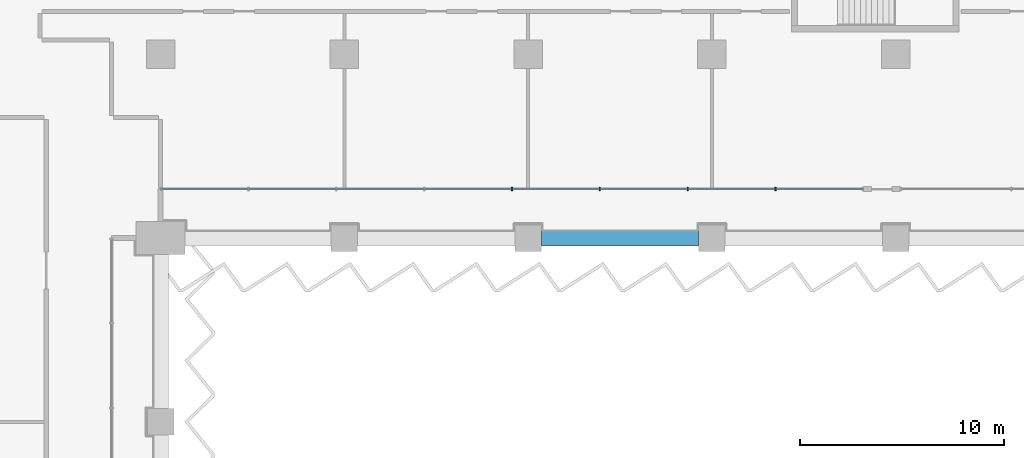
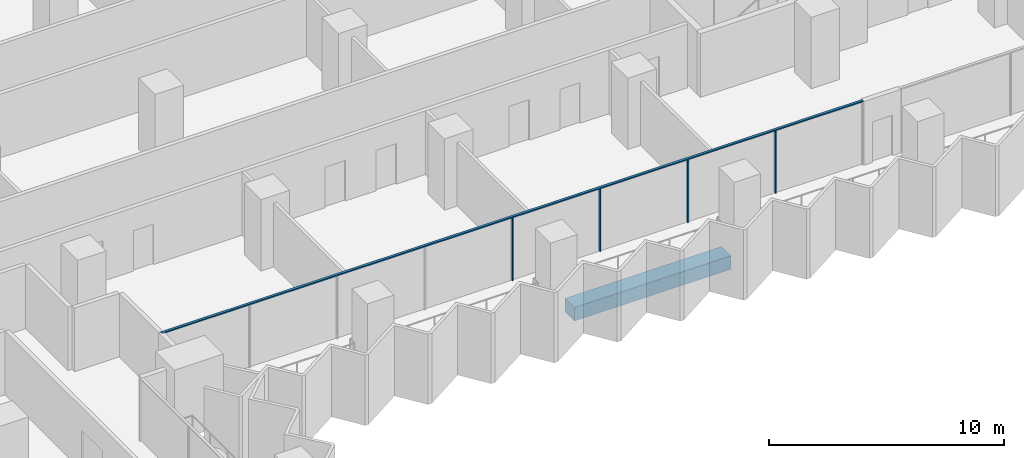
# One storey, part 5 of 28: 5 members, 1 beam, 1 element without a shape of its own.
"""IFC4 building model written with IfcOpenShell, lengths in metres."""

from ifc_helpers import new_model, si_unit, direction, frame, origin, origin_2d, place, context, subcontext, project, spatial, rectangle, extrude, material, material_profile, profile_set, type_object, element, aggregate, save


model = new_model("IFC4")

# Units and contexts
model_context = context("Model", 3, precision=1e-05, world=origin(), true_north=direction((0.0, 1.0)))
body_context = subcontext(model_context, "Body", "Model", "MODEL_VIEW")
ifc_project = project(units=[si_unit("LENGTHUNIT", "METRE"), si_unit("AREAUNIT", "SQUARE_METRE"), si_unit("VOLUMEUNIT", "CUBIC_METRE"), si_unit("PLANEANGLEUNIT", "RADIAN"), si_unit("MASSUNIT", "GRAM", prefix="KILO")], contexts=[model_context])

# Site, building, storey
site_placement = place(None, origin())
site = spatial("IfcSite", under=ifc_project, at=site_placement, CompositionType="ELEMENT")
building_placement = place(site_placement, origin())
building = spatial("IfcBuilding", under=site, at=building_placement, Name="Hunhe Ridgeline Campus", CompositionType="ELEMENT")
storey_placement = place(building_placement, frame((0.0, 0.0, 72.800048828125)))
storey = spatial("IfcBuildingStorey", under=building, at=storey_placement, Name="L17", CompositionType="ELEMENT", Elevation=72.800048828125)

# Curtain wall, members
ifc_material_1 = material(Name="Aluminium 6063", Category="aluminium")
curtain_wall_type = type_object("IfcCurtainWallType", Name="Curtain wall CW-1", PredefinedType="NOTDEFINED", material=ifc_material_1)
curtain_wall_placement = place(storey_placement, origin())
curtain_wall = element("IfcCurtainWall", 1, at=curtain_wall_placement, inside=storey, type_object=curtain_wall_type, Name="Curtain wall 13", PredefinedType="NOTDEFINED")
ifc_material_profile_1 = material_profile(ifc_material_1, rectangle(XDim=0.159912109375, YDim=0.06005859375, at=origin_2d()))
ifc_profile_set_1 = profile_set([ifc_material_profile_1], Name="Aluminium 6063")
member_type_1 = type_object("IfcMemberType", Name="CW-1 aluminium mullion", PredefinedType="MULLION", material=ifc_profile_set_1)
member_1_placement = place(storey_placement, frame((62.211669921875, 56.40087890625, 0.0), z_axis=(0.0, 0.0, 1.0), x_axis=(-3.602063e-06, 0.999999999994, 0.0)))
member_1 = element("IfcMember", 2, at=member_1_placement, type_object=member_type_1, Name="CW-1 mullion 5", PredefinedType="MULLION", context=body_context, shape_type="SweptSolid", body=[
    extrude(rectangle(XDim=0.159912109375, YDim=0.06005859375, at=origin_2d()), origin(), (0.0, 0.0, 1.0), 3.239990234375),
])
member_2_placement = place(storey_placement, frame((66.514892578125, 56.40087890625, 0.0), z_axis=(0.0, 0.0, 1.0), x_axis=(-3.602063e-06, 0.999999999994, 0.0)))
member_2 = element("IfcMember", 3, at=member_2_placement, type_object=member_type_1, Name="CW-1 mullion 6", PredefinedType="MULLION", context=body_context, shape_type="SweptSolid", body=[
    extrude(rectangle(XDim=0.159912109375, YDim=0.06005859375, at=origin_2d()), origin(), (0.0, 0.0, 1.0), 3.239990234375),
])
member_3_placement = place(storey_placement, frame((70.81787109375, 56.40087890625, 0.0), z_axis=(0.0, 0.0, 1.0), x_axis=(-3.602063e-06, 0.999999999994, 0.0)))
member_3 = element("IfcMember", 4, at=member_3_placement, type_object=member_type_1, Name="CW-1 mullion 7", PredefinedType="MULLION", context=body_context, shape_type="SweptSolid", body=[
    extrude(rectangle(XDim=0.159912109375, YDim=0.06005859375, at=origin_2d()), origin(), (0.0, 0.0, 1.0), 3.239990234375),
])
member_4_placement = place(storey_placement, frame((75.12109375, 56.40087890625, 0.0), z_axis=(0.0, 0.0, 1.0), x_axis=(-3.602063e-06, 0.999999999994, 0.0)))
member_4 = element("IfcMember", 5, at=member_4_placement, type_object=member_type_1, Name="CW-1 mullion 8", PredefinedType="MULLION", context=body_context, shape_type="SweptSolid", body=[
    extrude(rectangle(XDim=0.159912109375, YDim=0.06005859375, at=origin_2d()), origin(), (0.0, 0.0, 1.0), 3.239990234375),
])
ifc_material_profile_2 = material_profile(ifc_material_1, rectangle(XDim=0.1201171875, YDim=0.06005859375, at=origin_2d()))
ifc_profile_set_2 = profile_set([ifc_material_profile_2], Name="Aluminium 6063")
member_type_2 = type_object("IfcMemberType", Name="CW-1 aluminium transom", PredefinedType="USERDEFINED", material=ifc_profile_set_2)
member_5_placement = place(storey_placement, frame((44.99951171875, 56.40087890625, 3.27001953125), z_axis=(1.0, 0.0, 0.0), x_axis=(0.0, 1.0, 0.0)))
member_5 = element("IfcMember", 6, at=member_5_placement, type_object=member_type_2, Name="CW-1 transom 1", ObjectType="TRANSOM", PredefinedType="USERDEFINED", context=body_context, shape_type="SweptSolid", body=[
    extrude(rectangle(XDim=0.1201171875, YDim=0.06005859375, at=origin_2d()), origin(), (0.0, 0.0, 1.0), 34.424560546875),
])
aggregate(curtain_wall, [member_5, member_1, member_2, member_3, member_4])

# Beam
ifc_material_2 = material(Name="Concrete C60", Category="concrete")
ifc_material_profile_3 = material_profile(ifc_material_2, rectangle(XDim=0.800048828125, YDim=0.699951171875, at=origin_2d()))
ifc_profile_set_3 = profile_set([ifc_material_profile_3], Name="Concrete C60")
beam_type = type_object("IfcBeamType", Name="RC spandrel beam 800x700 Concrete C60", PredefinedType="SPANDREL", material=ifc_profile_set_3)
beam_placement = place(storey_placement, frame((63.64990234375, 54.0, -0.60009765625), z_axis=(1.0, 0.0, 0.0), x_axis=(0.0, 1.0, 0.0)))
element("IfcBeam", 7, at=beam_placement, inside=storey, type_object=beam_type, Name="Spandrel beam B1-14 L17", PredefinedType="SPANDREL", context=body_context, shape_type="SweptSolid", body=[
    extrude(rectangle(XDim=0.800048828125, YDim=0.699951171875, at=origin_2d()), origin(), (0.0, 0.0, 1.0), 7.7001953125),
])

save(model, "model.ifc")
